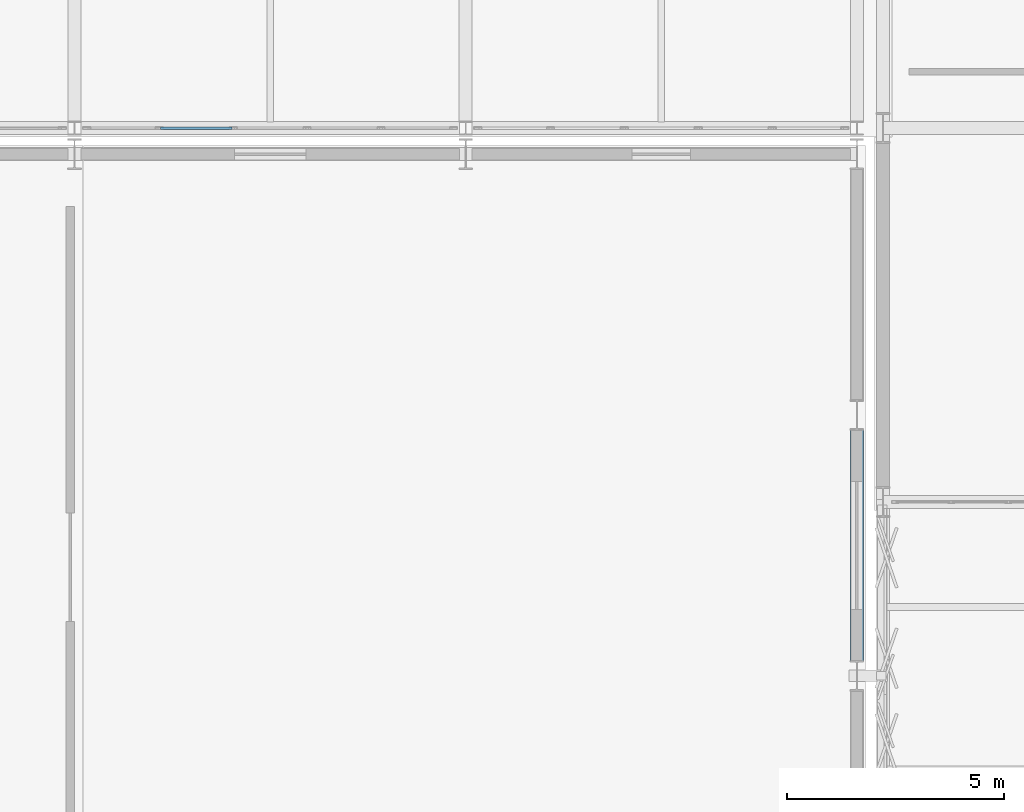
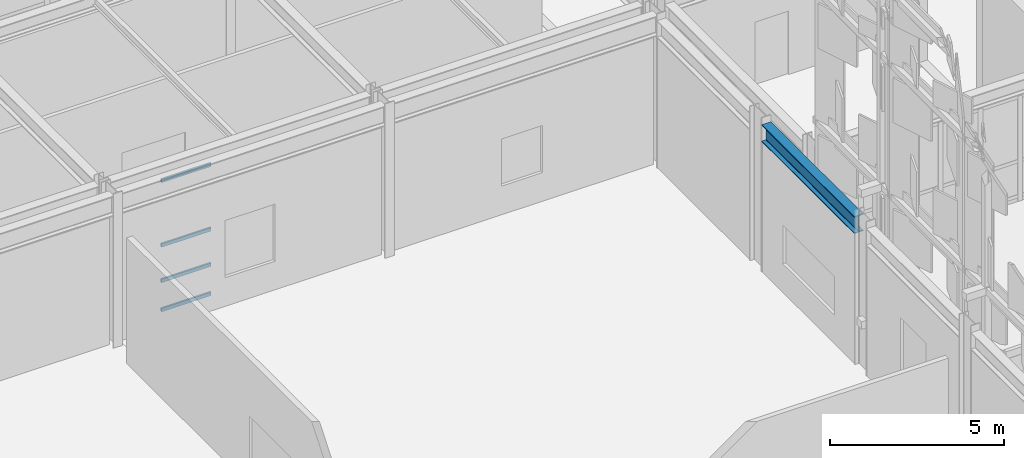
# One storey, part 28 of 239: 4 members, 1 beam, 1 element without a shape of its own.
"""IFC4 building model written with IfcOpenShell, lengths in metres."""

from ifc_helpers import new_model, si_unit, direction, frame, origin, origin_2d, place, context, subcontext, project, spatial, hollow_rectangle, i_section, extrude, material, material_profile, profile_set, type_object, element, aggregate, save


model = new_model("IFC4")

# Units and contexts
model_context = context("Model", 3, precision=1e-05, world=origin(), true_north=direction((0.0, 1.0)))
body_context = subcontext(model_context, "Body", "Model", "MODEL_VIEW")
ifc_project = project(units=[si_unit("LENGTHUNIT", "METRE"), si_unit("AREAUNIT", "SQUARE_METRE"), si_unit("VOLUMEUNIT", "CUBIC_METRE"), si_unit("PLANEANGLEUNIT", "RADIAN"), si_unit("MASSUNIT", "GRAM", prefix="KILO")], contexts=[model_context])

# Site, building, storey
site_placement = place(None, origin())
site = spatial("IfcSite", under=ifc_project, at=site_placement, CompositionType="ELEMENT")
building_placement = place(site_placement, origin())
building = spatial("IfcBuilding", under=site, at=building_placement, Name="Kaldris Quays Convention Centre", CompositionType="ELEMENT")
storey_placement = place(building_placement, frame((0.0, 0.0, 11.39990234375)))
storey = spatial("IfcBuildingStorey", under=building, at=storey_placement, Name="L02", CompositionType="ELEMENT", Elevation=11.39990234375)

# Curtain wall, members
ifc_material_1 = material(Name="Anodized aluminium AW-6060 and triple glazing", Category="aluminium")
curtain_wall_type = type_object("IfcCurtainWallType", Name="UNITISED CURTAIN WALL CW02", PredefinedType="NOTDEFINED", material=ifc_material_1)
curtain_wall_placement = place(storey_placement, origin())
curtain_wall = element("IfcCurtainWall", 1, at=curtain_wall_placement, inside=storey, type_object=curtain_wall_type, Name="L02 Unitised Curtain Wall CW02 101", PredefinedType="NOTDEFINED")
ifc_material_2 = material(Name="Anodized aluminium AW-6060", Category="aluminium")
ifc_material_profile_1 = material_profile(ifc_material_2, hollow_rectangle(XDim=0.06005859375, YDim=0.1201171875, WallThickness=0.00390625, at=origin_2d()), Name="RHS 120x60x4")
ifc_profile_set_1 = profile_set([ifc_material_profile_1], Name="Anodized aluminium AW-6060")
member_type = type_object("IfcMemberType", Name="CURTAIN TRANSOM CWT1", PredefinedType="USERDEFINED", material=ifc_profile_set_1)
member_1_placement = place(storey_placement, frame((66.97998046875, 46.60009765625, 0.030029296875), z_axis=(1.0, 0.0, 0.0), x_axis=(0.0, 1.0, 0.0)))
member_1 = element("IfcMember", 2, at=member_1_placement, type_object=member_type, Name="CW02 transom 2.1", ObjectType="TRANSOM", PredefinedType="USERDEFINED", context=body_context, shape_type="SweptSolid", body=[
    extrude(hollow_rectangle(XDim=0.06005859375, YDim=0.1201171875, WallThickness=0.00390625, at=origin_2d()), origin(), (0.0, 0.0, 1.0), 1.64013671875),
])
member_2_placement = place(storey_placement, frame((66.97998046875, 46.60009765625, 1.050048828125), z_axis=(1.0, 0.0, 0.0), x_axis=(0.0, 1.0, 0.0)))
member_2 = element("IfcMember", 3, at=member_2_placement, type_object=member_type, Name="CW02 transom 2.2", ObjectType="TRANSOM", PredefinedType="USERDEFINED", context=body_context, shape_type="SweptSolid", body=[
    extrude(hollow_rectangle(XDim=0.06005859375, YDim=0.1201171875, WallThickness=0.00390625, at=origin_2d()), origin(), (0.0, 0.0, 1.0), 1.64013671875),
])
member_3_placement = place(storey_placement, frame((66.97998046875, 46.60009765625, 2.2890625), z_axis=(1.0, 0.0, 0.0), x_axis=(0.0, 1.0, 0.0)))
member_3 = element("IfcMember", 4, at=member_3_placement, type_object=member_type, Name="CW02 transom 2.3", ObjectType="TRANSOM", PredefinedType="USERDEFINED", context=body_context, shape_type="SweptSolid", body=[
    extrude(hollow_rectangle(XDim=0.06005859375, YDim=0.1201171875, WallThickness=0.00390625, at=origin_2d()), origin(), (0.0, 0.0, 1.0), 1.64013671875),
])
member_4_placement = place(storey_placement, frame((66.97998046875, 46.60009765625, 4.548095703125), z_axis=(1.0, 0.0, 0.0), x_axis=(0.0, 1.0, 0.0)))
member_4 = element("IfcMember", 5, at=member_4_placement, type_object=member_type, Name="CW02 transom 2.4", ObjectType="TRANSOM", PredefinedType="USERDEFINED", context=body_context, shape_type="SweptSolid", body=[
    extrude(hollow_rectangle(XDim=0.06005859375, YDim=0.1201171875, WallThickness=0.00390625, at=origin_2d()), origin(), (0.0, 0.0, 1.0), 1.64013671875),
])
aggregate(curtain_wall, [member_1, member_2, member_3, member_4])

# Beam
ifc_material_3 = material(Name="Steel S355J2", Category="steel")
ifc_material_profile_2 = material_profile(ifc_material_3, i_section(OverallWidth=0.300048828125, OverallDepth=0.60009765625, WebThickness=0.015380859375, FlangeThickness=0.030029296875, FilletRadius=0.027099609375, at=origin_2d()), Name="HEB 600")
ifc_profile_set_2 = profile_set([ifc_material_profile_2], Name="Steel S355J2")
beam_type = type_object("IfcBeamType", Name="STRUCTURAL BEAM BM05", PredefinedType="BEAM", material=ifc_profile_set_2)
beam_placement = place(storey_placement, frame((83.0, 34.343994140625, 4.863037109375), z_axis=(0.0, 1.0, 0.0), x_axis=(-1.0, 0.0, 0.0)))
element("IfcBeam", 6, at=beam_placement, inside=storey, type_object=beam_type, Name="L02 Girder BM05 23", PredefinedType="BEAM", context=body_context, shape_type="SweptSolid", body=[
    extrude(i_section(OverallWidth=0.300048828125, OverallDepth=0.60009765625, WebThickness=0.015380859375, FlangeThickness=0.030029296875, FilletRadius=0.027099609375, at=origin_2d()), origin(), (0.0, 0.0, 1.0), 5.31201171875),
])

save(model, "model.ifc")
